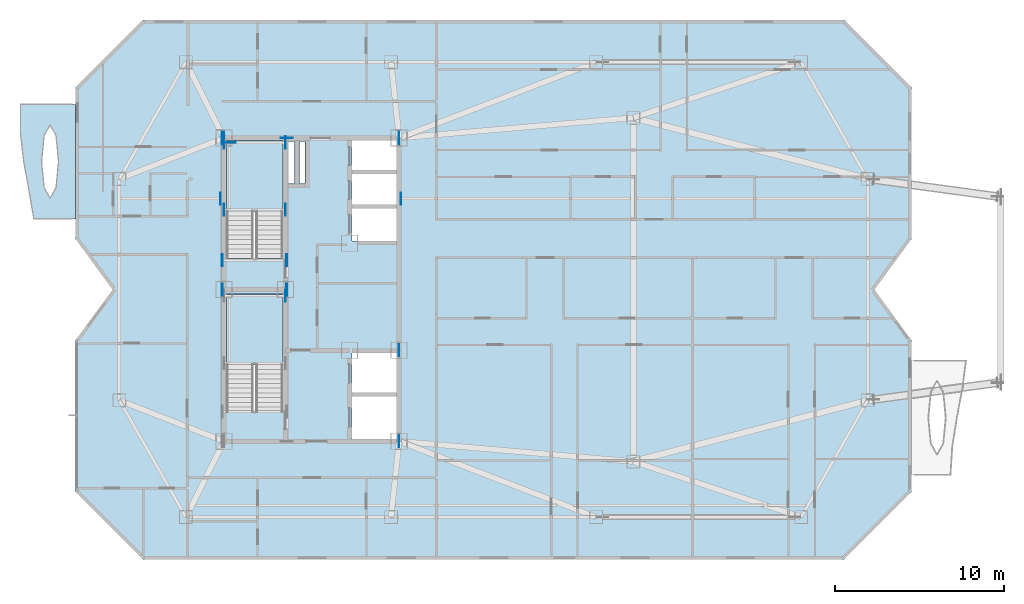
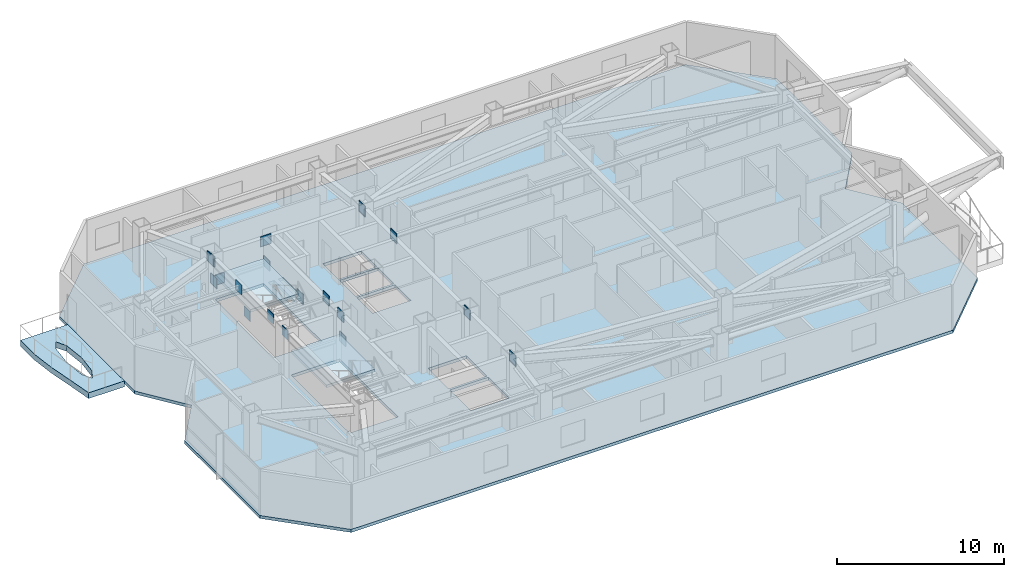
# One storey, part 6 of 14: 20 plates, 4 slabs, 2 elements without a shape of their own.
"""IFC4 building model written with IfcOpenShell, lengths in metres."""

from ifc_helpers import new_model, si_unit, direction, frame, origin, origin_2d, place, context, subcontext, project, spatial, polyline, rectangle, outline, extrude, material, layer, layer_set, type_object, element, aggregate, save


model = new_model("IFC4")

# Units and contexts
model_context = context("Model", 3, precision=1e-05, world=origin(), true_north=direction((0.0, 1.0)))
body_context = subcontext(model_context, "Body", "Model", "MODEL_VIEW")
ifc_project = project(units=[si_unit("LENGTHUNIT", "METRE"), si_unit("AREAUNIT", "SQUARE_METRE"), si_unit("VOLUMEUNIT", "CUBIC_METRE"), si_unit("PLANEANGLEUNIT", "RADIAN"), si_unit("MASSUNIT", "GRAM", prefix="KILO")], contexts=[model_context])

# Site, building, storey
site_placement = place(None, origin())
site = spatial("IfcSite", under=ifc_project, at=site_placement, CompositionType="ELEMENT")
building_placement = place(site_placement, origin())
building = spatial("IfcBuilding", under=site, at=building_placement, Name="Khamvora Tower", CompositionType="ELEMENT")
storey_placement = place(building_placement, frame((0.0, 0.0, 261.0)))
storey = spatial("IfcBuildingStorey", under=building, at=storey_placement, Name="L67", CompositionType="ELEMENT", Elevation=261.0)

# Plates
ifc_material_1 = material(Name="Steel S460", Category="steel")
ifc_layer_1 = layer(ifc_material_1, 0.034912109375)
ifc_layer_set_1 = layer_set([ifc_layer_1], Name="Steel S460")
plate_type = type_object("IfcPlateType", Name="PL-EMB-35", PredefinedType="SHEET", material=ifc_layer_set_1)
for number, where, z_axis, x_axis, name in (
    (1, (32.64990234375, 27.6298828125, 1.1337890625), (0.0, 0.0, 1.0), (1.0, 0.0, 0.0), "L67 core shear wall cast-in embed plate 1949"),
    (2, (29.0, 32.735107421875, 1.1337890625), (0.0, 0.0, 1.0), (1.0, 0.0, 0.0), "L67 core shear wall cast-in embed plate 1950"),
    (3, (32.64990234375, 32.735107421875, 1.1337890625), (0.0, 0.0, 1.0), (1.0, 0.0, 0.0), "L67 core shear wall cast-in embed plate 1951"),
    (4, (29.0, 36.72998046875, 1.1337890625), (0.0, 0.0, 1.0), (1.0, 0.0, 0.0), "L67 core shear wall cast-in embed plate 1952"),
    (5, (32.64990234375, 36.72998046875, 1.1337890625), (0.0, 0.0, 1.0), (1.0, 0.0, 0.0), "L67 core shear wall cast-in embed plate 1953"),
):
    element("IfcPlate", number, at=place(storey_placement, frame(where, z_axis=z_axis, x_axis=x_axis)), inside=storey, type_object=plate_type, Name=name, PredefinedType="SHEET", context=body_context, shape_type="SweptSolid", body=[
        extrude(rectangle(XDim=0.034912109375, YDim=0.719970703125, at=origin_2d()), origin(), (0.0, 0.0, 1.0), 0.719970703125),
    ])
plate_1_placement = place(storey_placement, frame((29.35009765625, 36.72998046875, 1.1337890625), z_axis=(0.0, 0.0, 1.0), x_axis=(1.0, 0.0, 0.0)))
element("IfcPlate", 6, at=plate_1_placement, inside=storey, type_object=plate_type, Name="L67 core shear wall cast-in embed plate 1954", PredefinedType="SHEET", context=body_context, shape_type="SweptSolid", body=[
    extrude(rectangle(XDim=0.719970703125, YDim=0.034912109375, at=origin_2d()), origin(), (0.0, 0.0, 1.0), 0.719970703125),
])
for number, where, z_axis, x_axis, name in (
    (7, (39.39990234375, 19.0, 2.56201171875), (0.0, 0.0, 1.0), (1.0, 0.0, 0.0), "L67 core shear wall cast-in embed plate 1956"),
    (8, (29.0, 37.0, 2.56201171875), (0.0, 0.0, 1.0), (1.0, 0.0, 0.0), "L67 core shear wall cast-in embed plate 1957"),
    (9, (39.39990234375, 37.0, 2.56201171875), (0.0, 0.0, 1.0), (1.0, 0.0, 0.0), "L67 core shear wall cast-in embed plate 1958"),
    (10, (28.89990234375, 28.0, 2.64306640625), (0.0, 0.0, 1.0), (1.0, 0.0, 0.0), "L67 core shear wall cast-in embed plate 1960"),
    (11, (28.89990234375, 37.0, 2.64306640625), (0.0, 0.0, 1.0), (1.0, 0.0, 0.0), "L67 core shear wall cast-in embed plate 1961"),
    (12, (32.72998046875, 28.0, 2.64306640625), (0.0, 0.0, 1.0), (1.0, 0.0, 0.0), "L67 core shear wall cast-in embed plate 1963"),
):
    element("IfcPlate", number, at=place(storey_placement, frame(where, z_axis=z_axis, x_axis=x_axis)), inside=storey, type_object=plate_type, Name=name, PredefinedType="SHEET", context=body_context, shape_type="SweptSolid", body=[
        extrude(rectangle(XDim=0.034912109375, YDim=0.719970703125, at=origin_2d()), origin(), (0.0, 0.0, 1.0), 0.719970703125),
    ])
plate_2_placement = place(storey_placement, frame((32.72998046875, 37.0, 2.64306640625), z_axis=(0.0, 0.0, 1.0), x_axis=(1.0, 0.0, 0.0)))
element("IfcPlate", 13, at=plate_2_placement, inside=storey, type_object=plate_type, Name="L67 core shear wall cast-in embed plate 1964", PredefinedType="SHEET", context=body_context, shape_type="SweptSolid", body=[
    extrude(rectangle(XDim=0.719970703125, YDim=0.034912109375, at=origin_2d()), origin(), (0.0, 0.0, 1.0), 0.719970703125),
])
for number, where, z_axis, x_axis, name in (
    (14, (39.39990234375, 19.0, 2.64306640625), (0.0, 0.0, 1.0), (1.0, 0.0, 0.0), "L67 core shear wall cast-in embed plate 1965"),
    (15, (39.39990234375, 24.39990234375, 2.64306640625), (0.0, 0.0, 1.0), (1.0, 0.0, 0.0), "L67 core shear wall cast-in embed plate 1966"),
    (16, (39.39990234375, 37.0, 2.64306640625), (0.0, 0.0, 1.0), (1.0, 0.0, 0.0), "L67 core shear wall cast-in embed plate 1967"),
    (17, (28.89990234375, 29.75, 2.7841796875), (0.0, 0.0, 1.0), (1.0, 0.0, 0.0), "L67 core shear wall cast-in embed plate 1970"),
    (18, (32.72998046875, 29.75, 2.7841796875), (0.0, 0.0, 1.0), (1.0, 0.0, 0.0), "L67 core shear wall cast-in embed plate 1971"),
    (19, (28.800048828125, 33.39990234375, 2.7529296875), (0.0, 0.0, 1.0), (1.0, 0.0, 0.0), "L67 core shear wall cast-in embed plate 1972"),
    (20, (39.4990234375, 33.39990234375, 2.7529296875), (0.0, 0.0, 1.0), (1.0, 0.0, 0.0), "L67 core shear wall cast-in embed plate 1973"),
):
    element("IfcPlate", number, at=place(storey_placement, frame(where, z_axis=z_axis, x_axis=x_axis)), inside=storey, type_object=plate_type, Name=name, PredefinedType="SHEET", context=body_context, shape_type="SweptSolid", body=[
        extrude(rectangle(XDim=0.034912109375, YDim=0.719970703125, at=origin_2d()), origin(), (0.0, 0.0, 1.0), 0.719970703125),
    ])

# Slab
ifc_material_2 = material(Name="Concrete C40/50", Category="concrete")
ifc_layer_2 = layer(ifc_material_2, 0.419921875)
ifc_layer_set_2 = layer_set([ifc_layer_2], Name="Concrete C40/50")
slab_type_1 = type_object("IfcSlabType", Name="SLB-GRD-420", PredefinedType="FLOOR", material=ifc_layer_set_2)
slab_1_placement = place(storey_placement, frame((0.0, 0.0, -0.419921875)))
element("IfcSlab", 21, at=slab_1_placement, inside=storey, type_object=slab_type_1, Name="L67 external lens gallery slab WL2", PredefinedType="FLOOR", context=body_context, shape_type="SweptSolid", body=[
    extrude(outline(polyline([(20.199951171875, 32.199951171875), (20.199951171875, 39.0), (16.927978515625, 39.0), (16.925048828125, 37.300048828125), (17.12109375, 35.60009765625), (17.430908203125, 33.89990234375), (17.721923828125, 32.199951171875), (20.199951171875, 32.199951171875)]), holes=[polyline([(19.18896484375, 35.60009765625), (19.041015625, 37.138916015625), (18.68505859375, 37.77587890625), (18.3291015625, 37.138916015625), (18.180908203125, 35.60009765625), (18.3291015625, 34.06103515625), (18.68505859375, 33.424072265625), (19.041015625, 34.06103515625), (19.18896484375, 35.60009765625)])]), origin(), (0.0, 0.0, 1.0), 0.419921875),
])

# Stair, slab
stair_type_1 = type_object("IfcStairType", Name="STR-ST-01", PredefinedType="HALF_TURN_STAIR", material=ifc_material_2)
stair_1_placement = place(storey_placement, origin())
stair_1 = element("IfcStair", 22, at=stair_1_placement, inside=storey, type_object=stair_type_1, Name="L67 South Tower Exit Stair ST-01", PredefinedType="HALF_TURN_STAIR")
ifc_layer_3 = layer(ifc_material_2, 0.199951171875)
ifc_layer_set_3 = layer_set([ifc_layer_3], Name="Concrete C40/50")
slab_type_2 = type_object("IfcSlabType", Name="SLB-LND-200", PredefinedType="LANDING", material=ifc_layer_set_3)
slab_2_placement = place(storey_placement, frame((0.0, 0.0, 1.625)))
slab_2 = element("IfcSlab", 23, at=slab_2_placement, type_object=slab_type_2, Name="ST-01 landing 1", PredefinedType="LANDING", context=body_context, shape_type="SweptSolid", body=[
    extrude(outline(polyline([(32.5, 23.514892578125), (32.5, 27.75), (29.14990234375, 27.75), (29.14990234375, 23.514892578125), (32.5, 23.514892578125)])), origin(), (0.0, 0.0, 1.0), 0.199951171875),
])
aggregate(stair_1, [slab_2])

stair_type_2 = type_object("IfcStairType", Name="STR-ST-02", PredefinedType="HALF_TURN_STAIR", material=ifc_material_2)
stair_2_placement = place(storey_placement, origin())
stair_2 = element("IfcStair", 24, at=stair_2_placement, inside=storey, type_object=stair_type_2, Name="L67 North Tower Exit Stair ST-02", PredefinedType="HALF_TURN_STAIR")
slab_3_placement = place(storey_placement, frame((0.0, 0.0, 1.625)))
slab_3 = element("IfcSlab", 25, at=slab_3_placement, type_object=slab_type_2, Name="ST-02 landing 1", PredefinedType="LANDING", context=body_context, shape_type="SweptSolid", body=[
    extrude(outline(polyline([(32.5, 32.614990234375), (32.5, 36.85009765625), (29.14990234375, 36.85009765625), (29.14990234375, 32.614990234375), (32.5, 32.614990234375)])), origin(), (0.0, 0.0, 1.0), 0.199951171875),
])
aggregate(stair_2, [slab_3])

# Slab
ifc_material_3 = material(Name="Concrete C35/45", Category="concrete")
ifc_layer_4 = layer(ifc_material_3, 0.219970703125)
ifc_layer_set_4 = layer_set([ifc_layer_4], Name="Concrete C35/45")
slab_type_3 = type_object("IfcSlabType", Name="SLB-TYP-220", PredefinedType="FLOOR", material=ifc_layer_set_4)
slab_4_placement = place(storey_placement, frame((0.0, 0.0, -0.219970703125)))
element("IfcSlab", 26, at=slab_4_placement, inside=storey, type_object=slab_type_3, Name="L67 structural floor slab", PredefinedType="FLOOR", context=body_context, shape_type="SweptSolid", body=[
    extrude(outline(polyline([(24.199951171875, 12.0), (65.800048828125, 12.0), (69.800048828125, 16.0), (69.800048828125, 25.0), (67.60009765625, 28.0), (69.800048828125, 31.0), (69.800048828125, 40.0), (65.800048828125, 44.0), (24.199951171875, 44.0), (20.199951171875, 40.0), (20.199951171875, 31.0), (22.39990234375, 28.0), (20.199951171875, 25.0), (20.199951171875, 16.0), (24.199951171875, 12.0)]), holes=[polyline([(32.5, 20.760009765625), (32.5, 27.75), (29.14990234375, 27.75), (29.14990234375, 20.760009765625), (32.5, 20.760009765625)]), polyline([(32.5, 29.860107421875), (32.5, 36.85009765625), (29.14990234375, 36.85009765625), (29.14990234375, 29.860107421875), (32.5, 29.860107421875)]), polyline([(36.60009765625, 19.14990234375), (39.25, 19.14990234375), (39.25, 21.64990234375), (36.60009765625, 21.64990234375), (36.60009765625, 19.14990234375)]), polyline([(36.60009765625, 21.800048828125), (39.25, 21.800048828125), (39.25, 24.25), (36.60009765625, 24.25), (36.60009765625, 21.800048828125)]), polyline([(36.60009765625, 30.89990234375), (39.25, 30.89990234375), (39.25, 32.800048828125), (36.60009765625, 32.800048828125), (36.60009765625, 30.89990234375)]), polyline([(36.60009765625, 32.949951171875), (39.25, 32.949951171875), (39.25, 34.85009765625), (36.60009765625, 34.85009765625), (36.60009765625, 32.949951171875)]), polyline([(36.60009765625, 35.0), (39.25, 35.0), (39.25, 36.85009765625), (36.60009765625, 36.85009765625), (36.60009765625, 35.0)]), polyline([(32.800048828125, 34.300048828125), (33.199951171875, 34.300048828125), (33.199951171875, 36.800048828125), (32.800048828125, 36.800048828125), (32.800048828125, 34.300048828125)]), polyline([(33.47998046875, 34.300048828125), (33.820068359375, 34.300048828125), (33.820068359375, 36.800048828125), (33.47998046875, 36.800048828125), (33.47998046875, 34.300048828125)])]), origin(), (0.0, 0.0, 1.0), 0.219970703125),
])

save(model, "model.ifc")
